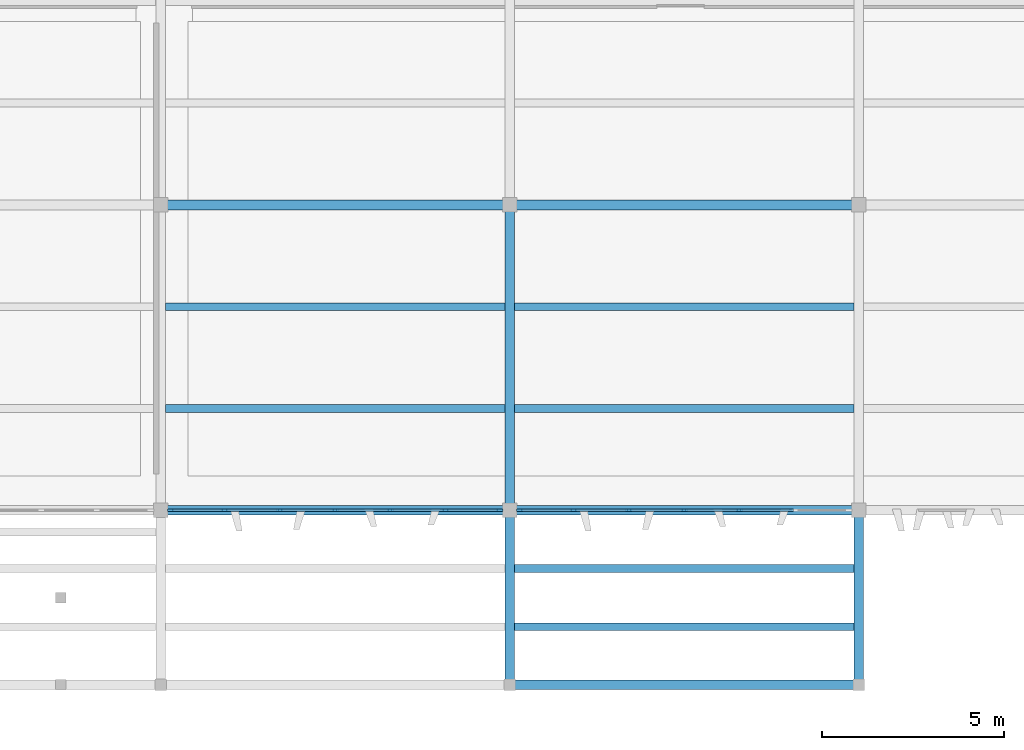
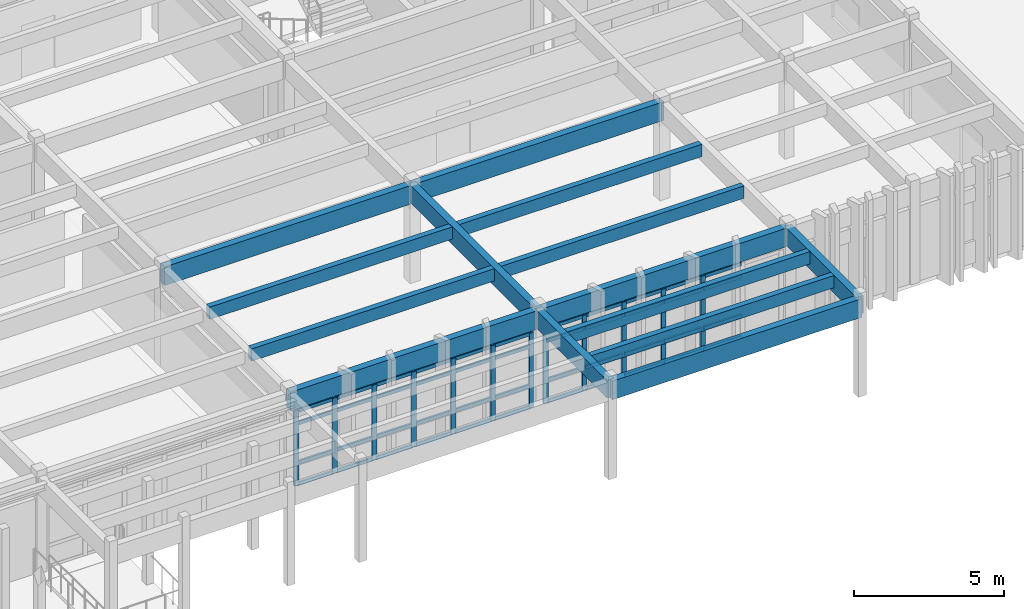
# One storey, part 8 of 42: 56 members, 14 beams, 2 elements without a shape of their own.
"""IFC4 building model written with IfcOpenShell, lengths in metres."""

from ifc_helpers import new_model, si_unit, direction, frame, origin, origin_2d, place, context, subcontext, project, spatial, rectangle, extrude, material, layer, layer_set, material_profile, profile_set, type_object, element, aggregate, save


model = new_model("IFC4")

# Units and contexts
model_context = context("Model", 3, precision=1e-05, world=origin(), true_north=direction((0.0, 1.0)))
body_context = subcontext(model_context, "Body", "Model", "MODEL_VIEW")
ifc_project = project(units=[si_unit("LENGTHUNIT", "METRE"), si_unit("AREAUNIT", "SQUARE_METRE"), si_unit("VOLUMEUNIT", "CUBIC_METRE"), si_unit("PLANEANGLEUNIT", "RADIAN"), si_unit("MASSUNIT", "GRAM", prefix="KILO")], contexts=[model_context])

# Site, building, storey
site_placement = place(None, origin())
site = spatial("IfcSite", under=ifc_project, at=site_placement, CompositionType="ELEMENT")
building_placement = place(site_placement, origin())
building = spatial("IfcBuilding", under=site, at=building_placement, Name="Kolvemor Railside Polytechnic", CompositionType="ELEMENT")
storey_placement = place(building_placement, frame((0.0, 0.0, 14.39990234375)))
storey = spatial("IfcBuildingStorey", under=building, at=storey_placement, Name="L03", CompositionType="ELEMENT", Elevation=14.39990234375)

# Beams
ifc_material_1 = material(Name="Glulam GL28h", Category="wood")
ifc_material_profile_1 = material_profile(ifc_material_1, rectangle(XDim=0.264892578125, YDim=0.760009765625, at=origin_2d()), Name="GL265x760")
ifc_profile_set_1 = profile_set([ifc_material_profile_1], Name="Glulam GL28h")
beam_type_1 = type_object("IfcBeamType", Name="BM-GL-GIRD1", PredefinedType="BEAM", material=ifc_profile_set_1)
beam_1_placement = place(storey_placement, frame((96.0, 4.800048828125, 3.570068359375), z_axis=(1.0, 0.0, 0.0), x_axis=(0.0, 1.0, 0.0)))
element("IfcBeam", 1, at=beam_1_placement, inside=storey, type_object=beam_type_1, Name="Primary Girder L04-GX 1372", PredefinedType="BEAM", context=body_context, shape_type="SweptSolid", body=[
    extrude(rectangle(XDim=0.264892578125, YDim=0.760009765625, at=origin_2d()), origin(), (0.0, 0.0, 1.0), 9.60009765625),
])
beam_2_placement = place(storey_placement, frame((105.60009765625, 4.800048828125, 3.570068359375), z_axis=(1.0, 0.0, 0.0), x_axis=(0.0, 1.0, 0.0)))
element("IfcBeam", 2, at=beam_2_placement, inside=storey, type_object=beam_type_1, Name="Primary Girder L04-GX 1373", PredefinedType="BEAM", context=body_context, shape_type="SweptSolid", body=[
    extrude(rectangle(XDim=0.264892578125, YDim=0.760009765625, at=origin_2d()), origin(), (0.0, 0.0, 1.0), 9.599853515625),
])
beam_3_placement = place(storey_placement, frame((96.0, 13.199951171875, 3.570068359375), z_axis=(1.0, 0.0, 0.0), x_axis=(0.0, 1.0, 0.0)))
element("IfcBeam", 3, at=beam_3_placement, inside=storey, type_object=beam_type_1, Name="Primary Girder L04-GX 1381", PredefinedType="BEAM", context=body_context, shape_type="SweptSolid", body=[
    extrude(rectangle(XDim=0.264892578125, YDim=0.760009765625, at=origin_2d()), origin(), (0.0, 0.0, 1.0), 9.60009765625),
])
for number, where, z_axis, x_axis, name in (
    (4, (105.60009765625, 13.199951171875, 3.570068359375), (1.0, 0.0, 0.0), (0.0, 1.0, 0.0), "Primary Girder L04-GX 1382"),
    (5, (105.60009765625, 0.0, 3.570068359375), (1.0, 0.0, 0.0), (0.0, 1.0, 0.0), "Primary Girder L04-GX 1944"),
):
    element("IfcBeam", number, at=place(storey_placement, frame(where, z_axis=z_axis, x_axis=x_axis)), inside=storey, type_object=beam_type_1, Name=name, PredefinedType="BEAM", context=body_context, shape_type="SweptSolid", body=[
        extrude(rectangle(XDim=0.264892578125, YDim=0.760009765625, at=origin_2d()), origin(), (0.0, 0.0, 1.0), 9.599853515625),
    ])
ifc_material_2 = material(Name="Glulam GL28h", Category="wood")
ifc_material_profile_2 = material_profile(ifc_material_2, rectangle(XDim=0.264892578125, YDim=0.719970703125, at=origin_2d()), Name="GL265x720")
ifc_profile_set_2 = profile_set([ifc_material_profile_2], Name="Glulam GL28h")
beam_type_2 = type_object("IfcBeamType", Name="BM-GL-GIRD4", PredefinedType="BEAM", material=ifc_profile_set_2)
beam_4_placement = place(storey_placement, frame((105.60009765625, 4.800048828125, 3.590087890625), z_axis=(0.0, 1.0, 0.0), x_axis=(-1.0, 0.0, 0.0)))
element("IfcBeam", 6, at=beam_4_placement, inside=storey, type_object=beam_type_2, Name="Primary Girder L04-GY 1436", PredefinedType="BEAM", context=body_context, shape_type="SweptSolid", body=[
    extrude(rectangle(XDim=0.264892578125, YDim=0.719970703125, at=origin_2d()), origin(), (0.0, 0.0, 1.0), 8.39990234375),
])
for number, where, z_axis, x_axis, name in (
    (7, (105.60009765625, 0.0, 3.590087890625), (0.0, 1.0, 0.0), (-1.0, 0.0, 0.0), "Primary Girder L04-GY 1947"),
    (8, (115.199951171875, 0.0, 3.590087890625), (0.0, 1.0, 0.0), (-1.0, 0.0, 0.0), "Primary Girder L04-GY 1948"),
):
    element("IfcBeam", number, at=place(storey_placement, frame(where, z_axis=z_axis, x_axis=x_axis)), inside=storey, type_object=beam_type_2, Name=name, PredefinedType="BEAM", context=body_context, shape_type="SweptSolid", body=[
        extrude(rectangle(XDim=0.264892578125, YDim=0.719970703125, at=origin_2d()), origin(), (0.0, 0.0, 1.0), 4.800048828125),
    ])
ifc_material_3 = material(Name="Glulam GL28h", Category="wood")
ifc_material_profile_3 = material_profile(ifc_material_3, rectangle(XDim=0.215087890625, YDim=0.5, at=origin_2d()), Name="GL215x500")
ifc_profile_set_3 = profile_set([ifc_material_profile_3], Name="Glulam GL28h")
beam_type_3 = type_object("IfcBeamType", Name="BM-GL-JST3", PredefinedType="JOIST", material=ifc_profile_set_3)
for number, where, z_axis, x_axis, name in (
    (9, (96.133056640625, 7.60009765625, 3.7001953125), (1.0, 0.0, 0.0), (0.0, 1.0, 0.0), "Floor Joist L04-J1488"),
    (10, (96.133056640625, 10.39990234375, 3.7001953125), (1.0, 0.0, 0.0), (0.0, 1.0, 0.0), "Floor Joist L04-J1489"),
    (11, (105.73291015625, 7.60009765625, 3.7001953125), (1.0, 0.0, 0.0), (0.0, 1.0, 0.0), "Floor Joist L04-J1496"),
    (12, (105.73291015625, 10.39990234375, 3.7001953125), (1.0, 0.0, 0.0), (0.0, 1.0, 0.0), "Floor Joist L04-J1497"),
    (13, (105.73291015625, 1.60009765625, 3.7001953125), (1.0, 0.0, 0.0), (0.0, 1.0, 0.0), "Floor Joist L04-J1953"),
    (14, (105.73291015625, 3.199951171875, 3.7001953125), (1.0, 0.0, 0.0), (0.0, 1.0, 0.0), "Floor Joist L04-J1954"),
):
    element("IfcBeam", number, at=place(storey_placement, frame(where, z_axis=z_axis, x_axis=x_axis)), inside=storey, type_object=beam_type_3, Name=name, PredefinedType="JOIST", context=body_context, shape_type="SweptSolid", body=[
        extrude(rectangle(XDim=0.215087890625, YDim=0.5, at=origin_2d()), origin(), (0.0, 0.0, 1.0), 9.333984375),
    ])

# Curtain wall, members
ifc_material_4 = material(Name="Anodised marine aluminium and laminated low-E glass", Category="aluminium")
ifc_layer = layer(ifc_material_4, 0.179931640625, Name="CW-UNIT-STD")
ifc_layer_set = layer_set([ifc_layer], Name="Anodised marine aluminium and laminated low-E glass")
curtain_wall_type = type_object("IfcCurtainWallType", Name="CW-UNIT-STD", PredefinedType="USERDEFINED", material=ifc_layer_set)
curtain_wall_1_placement = place(storey_placement, origin())
curtain_wall_1 = element("IfcCurtainWall", 15, at=curtain_wall_1_placement, inside=storey, type_object=curtain_wall_type, Name="Curtain Wall L03-102", ObjectType="UNITISED CURTAIN WALL", PredefinedType="USERDEFINED")
ifc_material_5 = material(Name="Anodised marine aluminium 6063-T6", Category="aluminium")
ifc_material_profile_4 = material_profile(ifc_material_5, rectangle(XDim=0.074951171875, YDim=0.179931640625, at=origin_2d()), Name="CW-MUL-75x180")
ifc_profile_set_4 = profile_set([ifc_material_profile_4], Name="Anodised marine aluminium 6063-T6")
member_type_1 = type_object("IfcMemberType", Name="CWM-75x180", PredefinedType="MULLION", material=ifc_profile_set_4)
member_1_placement = place(storey_placement, frame((96.277587890625, 4.800048828125, 0.0), z_axis=(0.0, 0.0, 1.0), x_axis=(0.0, 1.0, 0.0)))
member_1 = element("IfcMember", 16, at=member_1_placement, type_object=member_type_1, Name="CW-STD mullion 1", PredefinedType="MULLION", context=body_context, shape_type="SweptSolid", body=[
    extrude(rectangle(XDim=0.074951171875, YDim=0.179931640625, at=origin_2d()), origin(), (0.0, 0.0, 1.0), 3.050048828125),
])
member_2_placement = place(storey_placement, frame((97.760009765625, 4.800048828125, 0.0), z_axis=(0.0, 0.0, 1.0), x_axis=(0.0, 1.0, 0.0)))
member_2 = element("IfcMember", 17, at=member_2_placement, type_object=member_type_1, Name="CW-STD mullion 2", PredefinedType="MULLION", context=body_context, shape_type="SweptSolid", body=[
    extrude(rectangle(XDim=0.074951171875, YDim=0.179931640625, at=origin_2d()), origin(), (0.0, 0.0, 1.0), 3.050048828125),
])
member_3_placement = place(storey_placement, frame((99.280029296875, 4.800048828125, 0.0), z_axis=(0.0, 0.0, 1.0), x_axis=(0.0, 1.0, 0.0)))
member_3 = element("IfcMember", 18, at=member_3_placement, type_object=member_type_1, Name="CW-STD mullion 3", PredefinedType="MULLION", context=body_context, shape_type="SweptSolid", body=[
    extrude(rectangle(XDim=0.074951171875, YDim=0.179931640625, at=origin_2d()), origin(), (0.0, 0.0, 1.0), 3.050048828125),
])
member_4_placement = place(storey_placement, frame((100.800048828125, 4.800048828125, 0.0), z_axis=(0.0, 0.0, 1.0), x_axis=(0.0, 1.0, 0.0)))
member_4 = element("IfcMember", 19, at=member_4_placement, type_object=member_type_1, Name="CW-STD mullion 4", PredefinedType="MULLION", context=body_context, shape_type="SweptSolid", body=[
    extrude(rectangle(XDim=0.074951171875, YDim=0.179931640625, at=origin_2d()), origin(), (0.0, 0.0, 1.0), 3.050048828125),
])
member_5_placement = place(storey_placement, frame((102.320068359375, 4.800048828125, 0.0), z_axis=(0.0, 0.0, 1.0), x_axis=(0.0, 1.0, 0.0)))
member_5 = element("IfcMember", 20, at=member_5_placement, type_object=member_type_1, Name="CW-STD mullion 5", PredefinedType="MULLION", context=body_context, shape_type="SweptSolid", body=[
    extrude(rectangle(XDim=0.074951171875, YDim=0.179931640625, at=origin_2d()), origin(), (0.0, 0.0, 1.0), 3.050048828125),
])
member_6_placement = place(storey_placement, frame((103.840087890625, 4.800048828125, 0.0), z_axis=(0.0, 0.0, 1.0), x_axis=(0.0, 1.0, 0.0)))
member_6 = element("IfcMember", 21, at=member_6_placement, type_object=member_type_1, Name="CW-STD mullion 6", PredefinedType="MULLION", context=body_context, shape_type="SweptSolid", body=[
    extrude(rectangle(XDim=0.074951171875, YDim=0.179931640625, at=origin_2d()), origin(), (0.0, 0.0, 1.0), 3.050048828125),
])
member_7_placement = place(storey_placement, frame((105.322509765625, 4.800048828125, 0.0), z_axis=(0.0, 0.0, 1.0), x_axis=(0.0, 1.0, 0.0)))
member_7 = element("IfcMember", 22, at=member_7_placement, type_object=member_type_1, Name="CW-STD mullion 7", PredefinedType="MULLION", context=body_context, shape_type="SweptSolid", body=[
    extrude(rectangle(XDim=0.074951171875, YDim=0.179931640625, at=origin_2d()), origin(), (0.0, 0.0, 1.0), 3.050048828125),
])

curtain_wall_2_placement = place(storey_placement, origin())
curtain_wall_2 = element("IfcCurtainWall", 23, at=curtain_wall_2_placement, inside=storey, type_object=curtain_wall_type, Name="Curtain Wall L03-103", ObjectType="UNITISED CURTAIN WALL", PredefinedType="USERDEFINED")
member_8_placement = place(storey_placement, frame((105.87744140625, 4.800048828125, 0.0), z_axis=(0.0, 0.0, 1.0), x_axis=(0.0, 1.0, 0.0)))
member_8 = element("IfcMember", 24, at=member_8_placement, type_object=member_type_1, Name="CW-STD mullion 1", PredefinedType="MULLION", context=body_context, shape_type="SweptSolid", body=[
    extrude(rectangle(XDim=0.074951171875, YDim=0.179931640625, at=origin_2d()), origin(), (0.0, 0.0, 1.0), 3.050048828125),
])
member_9_placement = place(storey_placement, frame((107.360107421875, 4.800048828125, 0.0), z_axis=(0.0, 0.0, 1.0), x_axis=(0.0, 1.0, 0.0)))
member_9 = element("IfcMember", 25, at=member_9_placement, type_object=member_type_1, Name="CW-STD mullion 2", PredefinedType="MULLION", context=body_context, shape_type="SweptSolid", body=[
    extrude(rectangle(XDim=0.074951171875, YDim=0.179931640625, at=origin_2d()), origin(), (0.0, 0.0, 1.0), 3.050048828125),
])
member_10_placement = place(storey_placement, frame((108.8798828125, 4.800048828125, 0.0), z_axis=(0.0, 0.0, 1.0), x_axis=(0.0, 1.0, 0.0)))
member_10 = element("IfcMember", 26, at=member_10_placement, type_object=member_type_1, Name="CW-STD mullion 3", PredefinedType="MULLION", context=body_context, shape_type="SweptSolid", body=[
    extrude(rectangle(XDim=0.074951171875, YDim=0.179931640625, at=origin_2d()), origin(), (0.0, 0.0, 1.0), 3.050048828125),
])
member_11_placement = place(storey_placement, frame((110.39990234375, 4.800048828125, 0.0), z_axis=(0.0, 0.0, 1.0), x_axis=(0.0, 1.0, 0.0)))
member_11 = element("IfcMember", 27, at=member_11_placement, type_object=member_type_1, Name="CW-STD mullion 4", PredefinedType="MULLION", context=body_context, shape_type="SweptSolid", body=[
    extrude(rectangle(XDim=0.074951171875, YDim=0.179931640625, at=origin_2d()), origin(), (0.0, 0.0, 1.0), 3.050048828125),
])
member_12_placement = place(storey_placement, frame((111.919921875, 4.800048828125, 0.0), z_axis=(0.0, 0.0, 1.0), x_axis=(0.0, 1.0, 0.0)))
member_12 = element("IfcMember", 28, at=member_12_placement, type_object=member_type_1, Name="CW-STD mullion 5", PredefinedType="MULLION", context=body_context, shape_type="SweptSolid", body=[
    extrude(rectangle(XDim=0.074951171875, YDim=0.179931640625, at=origin_2d()), origin(), (0.0, 0.0, 1.0), 3.050048828125),
])

# Member
ifc_material_6 = material(Name="Anodised marine aluminium 6063-T6", Category="aluminium")
ifc_material_profile_5 = material_profile(ifc_material_6, rectangle(XDim=0.074951171875, YDim=0.139892578125, at=origin_2d()), Name="CW-TRN-75x140")
ifc_profile_set_5 = profile_set([ifc_material_profile_5], Name="Anodised marine aluminium 6063-T6")
member_type_2 = type_object("IfcMemberType", Name="CWT-75x140", PredefinedType="USERDEFINED", material=ifc_profile_set_5)
member_13_placement = place(storey_placement, frame((96.31494140625, 4.800048828125, 0.03759765625), z_axis=(1.0, 0.0, 0.0), x_axis=(0.0, 1.0, 0.0)))
member_13 = element("IfcMember", 29, at=member_13_placement, type_object=member_type_2, Name="CW-STD transom 1.1", ObjectType="TRANSOM", PredefinedType="USERDEFINED", context=body_context, shape_type="SweptSolid", body=[
    extrude(rectangle(XDim=0.074951171875, YDim=0.139892578125, at=origin_2d()), origin(), (0.0, 0.0, 1.0), 1.407470703125),
])

member_14_placement = place(storey_placement, frame((96.31494140625, 4.800048828125, 0.900146484375), z_axis=(1.0, 0.0, 0.0), x_axis=(0.0, 1.0, 0.0)))
member_14 = element("IfcMember", 30, at=member_14_placement, type_object=member_type_2, Name="CW-STD transom 1.2", ObjectType="TRANSOM", PredefinedType="USERDEFINED", context=body_context, shape_type="SweptSolid", body=[
    extrude(rectangle(XDim=0.074951171875, YDim=0.139892578125, at=origin_2d()), origin(), (0.0, 0.0, 1.0), 1.407470703125),
])

member_15_placement = place(storey_placement, frame((96.31494140625, 4.800048828125, 2.5), z_axis=(1.0, 0.0, 0.0), x_axis=(0.0, 1.0, 0.0)))
member_15 = element("IfcMember", 31, at=member_15_placement, type_object=member_type_2, Name="CW-STD transom 1.3", ObjectType="TRANSOM", PredefinedType="USERDEFINED", context=body_context, shape_type="SweptSolid", body=[
    extrude(rectangle(XDim=0.074951171875, YDim=0.139892578125, at=origin_2d()), origin(), (0.0, 0.0, 1.0), 1.407470703125),
])

member_16_placement = place(storey_placement, frame((96.31494140625, 4.800048828125, 3.0126953125), z_axis=(1.0, 0.0, 0.0), x_axis=(0.0, 1.0, 0.0)))
member_16 = element("IfcMember", 32, at=member_16_placement, type_object=member_type_2, Name="CW-STD transom 1.4", ObjectType="TRANSOM", PredefinedType="USERDEFINED", context=body_context, shape_type="SweptSolid", body=[
    extrude(rectangle(XDim=0.074951171875, YDim=0.139892578125, at=origin_2d()), origin(), (0.0, 0.0, 1.0), 1.407470703125),
])

member_17_placement = place(storey_placement, frame((97.797607421875, 4.800048828125, 0.03759765625), z_axis=(1.0, 0.0, 0.0), x_axis=(0.0, 1.0, 0.0)))
member_17 = element("IfcMember", 33, at=member_17_placement, type_object=member_type_2, Name="CW-STD transom 2.1", ObjectType="TRANSOM", PredefinedType="USERDEFINED", context=body_context, shape_type="SweptSolid", body=[
    extrude(rectangle(XDim=0.074951171875, YDim=0.139892578125, at=origin_2d()), origin(), (0.0, 0.0, 1.0), 1.44482421875),
])

member_18_placement = place(storey_placement, frame((97.797607421875, 4.800048828125, 0.900146484375), z_axis=(1.0, 0.0, 0.0), x_axis=(0.0, 1.0, 0.0)))
member_18 = element("IfcMember", 34, at=member_18_placement, type_object=member_type_2, Name="CW-STD transom 2.2", ObjectType="TRANSOM", PredefinedType="USERDEFINED", context=body_context, shape_type="SweptSolid", body=[
    extrude(rectangle(XDim=0.074951171875, YDim=0.139892578125, at=origin_2d()), origin(), (0.0, 0.0, 1.0), 1.44482421875),
])

member_19_placement = place(storey_placement, frame((97.797607421875, 4.800048828125, 2.5), z_axis=(1.0, 0.0, 0.0), x_axis=(0.0, 1.0, 0.0)))
member_19 = element("IfcMember", 35, at=member_19_placement, type_object=member_type_2, Name="CW-STD transom 2.3", ObjectType="TRANSOM", PredefinedType="USERDEFINED", context=body_context, shape_type="SweptSolid", body=[
    extrude(rectangle(XDim=0.074951171875, YDim=0.139892578125, at=origin_2d()), origin(), (0.0, 0.0, 1.0), 1.44482421875),
])

member_20_placement = place(storey_placement, frame((97.797607421875, 4.800048828125, 3.0126953125), z_axis=(1.0, 0.0, 0.0), x_axis=(0.0, 1.0, 0.0)))
member_20 = element("IfcMember", 36, at=member_20_placement, type_object=member_type_2, Name="CW-STD transom 2.4", ObjectType="TRANSOM", PredefinedType="USERDEFINED", context=body_context, shape_type="SweptSolid", body=[
    extrude(rectangle(XDim=0.074951171875, YDim=0.139892578125, at=origin_2d()), origin(), (0.0, 0.0, 1.0), 1.44482421875),
])

member_21_placement = place(storey_placement, frame((99.3173828125, 4.800048828125, 0.03759765625), z_axis=(1.0, 0.0, 0.0), x_axis=(0.0, 1.0, 0.0)))
member_21 = element("IfcMember", 37, at=member_21_placement, type_object=member_type_2, Name="CW-STD transom 3.1", ObjectType="TRANSOM", PredefinedType="USERDEFINED", context=body_context, shape_type="SweptSolid", body=[
    extrude(rectangle(XDim=0.074951171875, YDim=0.139892578125, at=origin_2d()), origin(), (0.0, 0.0, 1.0), 1.445068359375),
])

member_22_placement = place(storey_placement, frame((99.3173828125, 4.800048828125, 0.900146484375), z_axis=(1.0, 0.0, 0.0), x_axis=(0.0, 1.0, 0.0)))
member_22 = element("IfcMember", 38, at=member_22_placement, type_object=member_type_2, Name="CW-STD transom 3.2", ObjectType="TRANSOM", PredefinedType="USERDEFINED", context=body_context, shape_type="SweptSolid", body=[
    extrude(rectangle(XDim=0.074951171875, YDim=0.139892578125, at=origin_2d()), origin(), (0.0, 0.0, 1.0), 1.445068359375),
])

member_23_placement = place(storey_placement, frame((99.3173828125, 4.800048828125, 2.5), z_axis=(1.0, 0.0, 0.0), x_axis=(0.0, 1.0, 0.0)))
member_23 = element("IfcMember", 39, at=member_23_placement, type_object=member_type_2, Name="CW-STD transom 3.3", ObjectType="TRANSOM", PredefinedType="USERDEFINED", context=body_context, shape_type="SweptSolid", body=[
    extrude(rectangle(XDim=0.074951171875, YDim=0.139892578125, at=origin_2d()), origin(), (0.0, 0.0, 1.0), 1.445068359375),
])

member_24_placement = place(storey_placement, frame((99.3173828125, 4.800048828125, 3.0126953125), z_axis=(1.0, 0.0, 0.0), x_axis=(0.0, 1.0, 0.0)))
member_24 = element("IfcMember", 40, at=member_24_placement, type_object=member_type_2, Name="CW-STD transom 3.4", ObjectType="TRANSOM", PredefinedType="USERDEFINED", context=body_context, shape_type="SweptSolid", body=[
    extrude(rectangle(XDim=0.074951171875, YDim=0.139892578125, at=origin_2d()), origin(), (0.0, 0.0, 1.0), 1.445068359375),
])

member_25_placement = place(storey_placement, frame((100.83740234375, 4.800048828125, 0.03759765625), z_axis=(1.0, 0.0, 0.0), x_axis=(0.0, 1.0, 0.0)))
member_25 = element("IfcMember", 41, at=member_25_placement, type_object=member_type_2, Name="CW-STD transom 4.1", ObjectType="TRANSOM", PredefinedType="USERDEFINED", context=body_context, shape_type="SweptSolid", body=[
    extrude(rectangle(XDim=0.074951171875, YDim=0.139892578125, at=origin_2d()), origin(), (0.0, 0.0, 1.0), 1.445068359375),
])

member_26_placement = place(storey_placement, frame((100.83740234375, 4.800048828125, 0.900146484375), z_axis=(1.0, 0.0, 0.0), x_axis=(0.0, 1.0, 0.0)))
member_26 = element("IfcMember", 42, at=member_26_placement, type_object=member_type_2, Name="CW-STD transom 4.2", ObjectType="TRANSOM", PredefinedType="USERDEFINED", context=body_context, shape_type="SweptSolid", body=[
    extrude(rectangle(XDim=0.074951171875, YDim=0.139892578125, at=origin_2d()), origin(), (0.0, 0.0, 1.0), 1.445068359375),
])

member_27_placement = place(storey_placement, frame((100.83740234375, 4.800048828125, 2.5), z_axis=(1.0, 0.0, 0.0), x_axis=(0.0, 1.0, 0.0)))
member_27 = element("IfcMember", 43, at=member_27_placement, type_object=member_type_2, Name="CW-STD transom 4.3", ObjectType="TRANSOM", PredefinedType="USERDEFINED", context=body_context, shape_type="SweptSolid", body=[
    extrude(rectangle(XDim=0.074951171875, YDim=0.139892578125, at=origin_2d()), origin(), (0.0, 0.0, 1.0), 1.445068359375),
])

member_28_placement = place(storey_placement, frame((100.83740234375, 4.800048828125, 3.0126953125), z_axis=(1.0, 0.0, 0.0), x_axis=(0.0, 1.0, 0.0)))
member_28 = element("IfcMember", 44, at=member_28_placement, type_object=member_type_2, Name="CW-STD transom 4.4", ObjectType="TRANSOM", PredefinedType="USERDEFINED", context=body_context, shape_type="SweptSolid", body=[
    extrude(rectangle(XDim=0.074951171875, YDim=0.139892578125, at=origin_2d()), origin(), (0.0, 0.0, 1.0), 1.445068359375),
])

member_29_placement = place(storey_placement, frame((102.357421875, 4.800048828125, 0.03759765625), z_axis=(1.0, 0.0, 0.0), x_axis=(0.0, 1.0, 0.0)))
member_29 = element("IfcMember", 45, at=member_29_placement, type_object=member_type_2, Name="CW-STD transom 5.1", ObjectType="TRANSOM", PredefinedType="USERDEFINED", context=body_context, shape_type="SweptSolid", body=[
    extrude(rectangle(XDim=0.074951171875, YDim=0.139892578125, at=origin_2d()), origin(), (0.0, 0.0, 1.0), 1.445068359375),
])

member_30_placement = place(storey_placement, frame((102.357421875, 4.800048828125, 0.900146484375), z_axis=(1.0, 0.0, 0.0), x_axis=(0.0, 1.0, 0.0)))
member_30 = element("IfcMember", 46, at=member_30_placement, type_object=member_type_2, Name="CW-STD transom 5.2", ObjectType="TRANSOM", PredefinedType="USERDEFINED", context=body_context, shape_type="SweptSolid", body=[
    extrude(rectangle(XDim=0.074951171875, YDim=0.139892578125, at=origin_2d()), origin(), (0.0, 0.0, 1.0), 1.445068359375),
])

member_31_placement = place(storey_placement, frame((102.357421875, 4.800048828125, 2.5), z_axis=(1.0, 0.0, 0.0), x_axis=(0.0, 1.0, 0.0)))
member_31 = element("IfcMember", 47, at=member_31_placement, type_object=member_type_2, Name="CW-STD transom 5.3", ObjectType="TRANSOM", PredefinedType="USERDEFINED", context=body_context, shape_type="SweptSolid", body=[
    extrude(rectangle(XDim=0.074951171875, YDim=0.139892578125, at=origin_2d()), origin(), (0.0, 0.0, 1.0), 1.445068359375),
])

member_32_placement = place(storey_placement, frame((102.357421875, 4.800048828125, 3.0126953125), z_axis=(1.0, 0.0, 0.0), x_axis=(0.0, 1.0, 0.0)))
member_32 = element("IfcMember", 48, at=member_32_placement, type_object=member_type_2, Name="CW-STD transom 5.4", ObjectType="TRANSOM", PredefinedType="USERDEFINED", context=body_context, shape_type="SweptSolid", body=[
    extrude(rectangle(XDim=0.074951171875, YDim=0.139892578125, at=origin_2d()), origin(), (0.0, 0.0, 1.0), 1.445068359375),
])

member_33_placement = place(storey_placement, frame((103.87744140625, 4.800048828125, 0.03759765625), z_axis=(1.0, 0.0, 0.0), x_axis=(0.0, 1.0, 0.0)))
member_33 = element("IfcMember", 49, at=member_33_placement, type_object=member_type_2, Name="CW-STD transom 6.1", ObjectType="TRANSOM", PredefinedType="USERDEFINED", context=body_context, shape_type="SweptSolid", body=[
    extrude(rectangle(XDim=0.074951171875, YDim=0.139892578125, at=origin_2d()), origin(), (0.0, 0.0, 1.0), 1.407470703125),
])

member_34_placement = place(storey_placement, frame((103.87744140625, 4.800048828125, 0.900146484375), z_axis=(1.0, 0.0, 0.0), x_axis=(0.0, 1.0, 0.0)))
member_34 = element("IfcMember", 50, at=member_34_placement, type_object=member_type_2, Name="CW-STD transom 6.2", ObjectType="TRANSOM", PredefinedType="USERDEFINED", context=body_context, shape_type="SweptSolid", body=[
    extrude(rectangle(XDim=0.074951171875, YDim=0.139892578125, at=origin_2d()), origin(), (0.0, 0.0, 1.0), 1.407470703125),
])

member_35_placement = place(storey_placement, frame((103.87744140625, 4.800048828125, 2.5), z_axis=(1.0, 0.0, 0.0), x_axis=(0.0, 1.0, 0.0)))
member_35 = element("IfcMember", 51, at=member_35_placement, type_object=member_type_2, Name="CW-STD transom 6.3", ObjectType="TRANSOM", PredefinedType="USERDEFINED", context=body_context, shape_type="SweptSolid", body=[
    extrude(rectangle(XDim=0.074951171875, YDim=0.139892578125, at=origin_2d()), origin(), (0.0, 0.0, 1.0), 1.407470703125),
])

member_36_placement = place(storey_placement, frame((103.87744140625, 4.800048828125, 3.0126953125), z_axis=(1.0, 0.0, 0.0), x_axis=(0.0, 1.0, 0.0)))
member_36 = element("IfcMember", 52, at=member_36_placement, type_object=member_type_2, Name="CW-STD transom 6.4", ObjectType="TRANSOM", PredefinedType="USERDEFINED", context=body_context, shape_type="SweptSolid", body=[
    extrude(rectangle(XDim=0.074951171875, YDim=0.139892578125, at=origin_2d()), origin(), (0.0, 0.0, 1.0), 1.407470703125),
])

aggregate(curtain_wall_1, [member_1, member_2, member_3, member_4, member_5, member_6, member_7, member_13, member_14, member_15, member_16, member_17, member_18, member_19, member_20, member_21, member_22, member_23, member_24, member_25, member_26, member_27, member_28, member_29, member_30, member_31, member_32, member_33, member_34, member_35, member_36])

member_37_placement = place(storey_placement, frame((105.9150390625, 4.800048828125, 0.03759765625), z_axis=(1.0, 0.0, 0.0), x_axis=(0.0, 1.0, 0.0)))
member_37 = element("IfcMember", 53, at=member_37_placement, type_object=member_type_2, Name="CW-STD transom 1.1", ObjectType="TRANSOM", PredefinedType="USERDEFINED", context=body_context, shape_type="SweptSolid", body=[
    extrude(rectangle(XDim=0.074951171875, YDim=0.139892578125, at=origin_2d()), origin(), (0.0, 0.0, 1.0), 1.407470703125),
])

member_38_placement = place(storey_placement, frame((105.9150390625, 4.800048828125, 0.900146484375), z_axis=(1.0, 0.0, 0.0), x_axis=(0.0, 1.0, 0.0)))
member_38 = element("IfcMember", 54, at=member_38_placement, type_object=member_type_2, Name="CW-STD transom 1.2", ObjectType="TRANSOM", PredefinedType="USERDEFINED", context=body_context, shape_type="SweptSolid", body=[
    extrude(rectangle(XDim=0.074951171875, YDim=0.139892578125, at=origin_2d()), origin(), (0.0, 0.0, 1.0), 1.407470703125),
])

member_39_placement = place(storey_placement, frame((105.9150390625, 4.800048828125, 2.5), z_axis=(1.0, 0.0, 0.0), x_axis=(0.0, 1.0, 0.0)))
member_39 = element("IfcMember", 55, at=member_39_placement, type_object=member_type_2, Name="CW-STD transom 1.3", ObjectType="TRANSOM", PredefinedType="USERDEFINED", context=body_context, shape_type="SweptSolid", body=[
    extrude(rectangle(XDim=0.074951171875, YDim=0.139892578125, at=origin_2d()), origin(), (0.0, 0.0, 1.0), 1.407470703125),
])

member_40_placement = place(storey_placement, frame((105.9150390625, 4.800048828125, 3.0126953125), z_axis=(1.0, 0.0, 0.0), x_axis=(0.0, 1.0, 0.0)))
member_40 = element("IfcMember", 56, at=member_40_placement, type_object=member_type_2, Name="CW-STD transom 1.4", ObjectType="TRANSOM", PredefinedType="USERDEFINED", context=body_context, shape_type="SweptSolid", body=[
    extrude(rectangle(XDim=0.074951171875, YDim=0.139892578125, at=origin_2d()), origin(), (0.0, 0.0, 1.0), 1.407470703125),
])

member_41_placement = place(storey_placement, frame((107.3974609375, 4.800048828125, 0.03759765625), z_axis=(1.0, 0.0, 0.0), x_axis=(0.0, 1.0, 0.0)))
member_41 = element("IfcMember", 57, at=member_41_placement, type_object=member_type_2, Name="CW-STD transom 2.1", ObjectType="TRANSOM", PredefinedType="USERDEFINED", context=body_context, shape_type="SweptSolid", body=[
    extrude(rectangle(XDim=0.074951171875, YDim=0.139892578125, at=origin_2d()), origin(), (0.0, 0.0, 1.0), 1.445068359375),
])

member_42_placement = place(storey_placement, frame((107.3974609375, 4.800048828125, 0.900146484375), z_axis=(1.0, 0.0, 0.0), x_axis=(0.0, 1.0, 0.0)))
member_42 = element("IfcMember", 58, at=member_42_placement, type_object=member_type_2, Name="CW-STD transom 2.2", ObjectType="TRANSOM", PredefinedType="USERDEFINED", context=body_context, shape_type="SweptSolid", body=[
    extrude(rectangle(XDim=0.074951171875, YDim=0.139892578125, at=origin_2d()), origin(), (0.0, 0.0, 1.0), 1.445068359375),
])

member_43_placement = place(storey_placement, frame((107.3974609375, 4.800048828125, 2.5), z_axis=(1.0, 0.0, 0.0), x_axis=(0.0, 1.0, 0.0)))
member_43 = element("IfcMember", 59, at=member_43_placement, type_object=member_type_2, Name="CW-STD transom 2.3", ObjectType="TRANSOM", PredefinedType="USERDEFINED", context=body_context, shape_type="SweptSolid", body=[
    extrude(rectangle(XDim=0.074951171875, YDim=0.139892578125, at=origin_2d()), origin(), (0.0, 0.0, 1.0), 1.445068359375),
])

member_44_placement = place(storey_placement, frame((107.3974609375, 4.800048828125, 3.0126953125), z_axis=(1.0, 0.0, 0.0), x_axis=(0.0, 1.0, 0.0)))
member_44 = element("IfcMember", 60, at=member_44_placement, type_object=member_type_2, Name="CW-STD transom 2.4", ObjectType="TRANSOM", PredefinedType="USERDEFINED", context=body_context, shape_type="SweptSolid", body=[
    extrude(rectangle(XDim=0.074951171875, YDim=0.139892578125, at=origin_2d()), origin(), (0.0, 0.0, 1.0), 1.445068359375),
])

member_45_placement = place(storey_placement, frame((108.91748046875, 4.800048828125, 0.03759765625), z_axis=(1.0, 0.0, 0.0), x_axis=(0.0, 1.0, 0.0)))
member_45 = element("IfcMember", 61, at=member_45_placement, type_object=member_type_2, Name="CW-STD transom 3.1", ObjectType="TRANSOM", PredefinedType="USERDEFINED", context=body_context, shape_type="SweptSolid", body=[
    extrude(rectangle(XDim=0.074951171875, YDim=0.139892578125, at=origin_2d()), origin(), (0.0, 0.0, 1.0), 1.445068359375),
])

member_46_placement = place(storey_placement, frame((108.91748046875, 4.800048828125, 0.900146484375), z_axis=(1.0, 0.0, 0.0), x_axis=(0.0, 1.0, 0.0)))
member_46 = element("IfcMember", 62, at=member_46_placement, type_object=member_type_2, Name="CW-STD transom 3.2", ObjectType="TRANSOM", PredefinedType="USERDEFINED", context=body_context, shape_type="SweptSolid", body=[
    extrude(rectangle(XDim=0.074951171875, YDim=0.139892578125, at=origin_2d()), origin(), (0.0, 0.0, 1.0), 1.445068359375),
])

member_47_placement = place(storey_placement, frame((108.91748046875, 4.800048828125, 2.5), z_axis=(1.0, 0.0, 0.0), x_axis=(0.0, 1.0, 0.0)))
member_47 = element("IfcMember", 63, at=member_47_placement, type_object=member_type_2, Name="CW-STD transom 3.3", ObjectType="TRANSOM", PredefinedType="USERDEFINED", context=body_context, shape_type="SweptSolid", body=[
    extrude(rectangle(XDim=0.074951171875, YDim=0.139892578125, at=origin_2d()), origin(), (0.0, 0.0, 1.0), 1.445068359375),
])

member_48_placement = place(storey_placement, frame((108.91748046875, 4.800048828125, 3.0126953125), z_axis=(1.0, 0.0, 0.0), x_axis=(0.0, 1.0, 0.0)))
member_48 = element("IfcMember", 64, at=member_48_placement, type_object=member_type_2, Name="CW-STD transom 3.4", ObjectType="TRANSOM", PredefinedType="USERDEFINED", context=body_context, shape_type="SweptSolid", body=[
    extrude(rectangle(XDim=0.074951171875, YDim=0.139892578125, at=origin_2d()), origin(), (0.0, 0.0, 1.0), 1.445068359375),
])

member_49_placement = place(storey_placement, frame((110.4375, 4.800048828125, 0.03759765625), z_axis=(1.0, 0.0, 0.0), x_axis=(0.0, 1.0, 0.0)))
member_49 = element("IfcMember", 65, at=member_49_placement, type_object=member_type_2, Name="CW-STD transom 4.1", ObjectType="TRANSOM", PredefinedType="USERDEFINED", context=body_context, shape_type="SweptSolid", body=[
    extrude(rectangle(XDim=0.074951171875, YDim=0.139892578125, at=origin_2d()), origin(), (0.0, 0.0, 1.0), 1.445068359375),
])

member_50_placement = place(storey_placement, frame((110.4375, 4.800048828125, 0.900146484375), z_axis=(1.0, 0.0, 0.0), x_axis=(0.0, 1.0, 0.0)))
member_50 = element("IfcMember", 66, at=member_50_placement, type_object=member_type_2, Name="CW-STD transom 4.2", ObjectType="TRANSOM", PredefinedType="USERDEFINED", context=body_context, shape_type="SweptSolid", body=[
    extrude(rectangle(XDim=0.074951171875, YDim=0.139892578125, at=origin_2d()), origin(), (0.0, 0.0, 1.0), 1.445068359375),
])

member_51_placement = place(storey_placement, frame((110.4375, 4.800048828125, 2.5), z_axis=(1.0, 0.0, 0.0), x_axis=(0.0, 1.0, 0.0)))
member_51 = element("IfcMember", 67, at=member_51_placement, type_object=member_type_2, Name="CW-STD transom 4.3", ObjectType="TRANSOM", PredefinedType="USERDEFINED", context=body_context, shape_type="SweptSolid", body=[
    extrude(rectangle(XDim=0.074951171875, YDim=0.139892578125, at=origin_2d()), origin(), (0.0, 0.0, 1.0), 1.445068359375),
])

member_52_placement = place(storey_placement, frame((110.4375, 4.800048828125, 3.0126953125), z_axis=(1.0, 0.0, 0.0), x_axis=(0.0, 1.0, 0.0)))
member_52 = element("IfcMember", 68, at=member_52_placement, type_object=member_type_2, Name="CW-STD transom 4.4", ObjectType="TRANSOM", PredefinedType="USERDEFINED", context=body_context, shape_type="SweptSolid", body=[
    extrude(rectangle(XDim=0.074951171875, YDim=0.139892578125, at=origin_2d()), origin(), (0.0, 0.0, 1.0), 1.445068359375),
])

member_53_placement = place(storey_placement, frame((111.95751953125, 4.800048828125, 0.03759765625), z_axis=(1.0, 0.0, 0.0), x_axis=(0.0, 1.0, 0.0)))
member_53 = element("IfcMember", 69, at=member_53_placement, type_object=member_type_2, Name="CW-STD transom 5.1", ObjectType="TRANSOM", PredefinedType="USERDEFINED", context=body_context, shape_type="SweptSolid", body=[
    extrude(rectangle(XDim=0.074951171875, YDim=0.139892578125, at=origin_2d()), origin(), (0.0, 0.0, 1.0), 1.445068359375),
])

member_54_placement = place(storey_placement, frame((111.95751953125, 4.800048828125, 0.900146484375), z_axis=(1.0, 0.0, 0.0), x_axis=(0.0, 1.0, 0.0)))
member_54 = element("IfcMember", 70, at=member_54_placement, type_object=member_type_2, Name="CW-STD transom 5.2", ObjectType="TRANSOM", PredefinedType="USERDEFINED", context=body_context, shape_type="SweptSolid", body=[
    extrude(rectangle(XDim=0.074951171875, YDim=0.139892578125, at=origin_2d()), origin(), (0.0, 0.0, 1.0), 1.445068359375),
])

member_55_placement = place(storey_placement, frame((111.95751953125, 4.800048828125, 2.5), z_axis=(1.0, 0.0, 0.0), x_axis=(0.0, 1.0, 0.0)))
member_55 = element("IfcMember", 71, at=member_55_placement, type_object=member_type_2, Name="CW-STD transom 5.3", ObjectType="TRANSOM", PredefinedType="USERDEFINED", context=body_context, shape_type="SweptSolid", body=[
    extrude(rectangle(XDim=0.074951171875, YDim=0.139892578125, at=origin_2d()), origin(), (0.0, 0.0, 1.0), 1.445068359375),
])

member_56_placement = place(storey_placement, frame((111.95751953125, 4.800048828125, 3.0126953125), z_axis=(1.0, 0.0, 0.0), x_axis=(0.0, 1.0, 0.0)))
member_56 = element("IfcMember", 72, at=member_56_placement, type_object=member_type_2, Name="CW-STD transom 5.4", ObjectType="TRANSOM", PredefinedType="USERDEFINED", context=body_context, shape_type="SweptSolid", body=[
    extrude(rectangle(XDim=0.074951171875, YDim=0.139892578125, at=origin_2d()), origin(), (0.0, 0.0, 1.0), 1.445068359375),
])

aggregate(curtain_wall_2, [member_8, member_9, member_10, member_11, member_12, member_37, member_38, member_39, member_40, member_41, member_42, member_43, member_44, member_45, member_46, member_47, member_48, member_49, member_50, member_51, member_52, member_53, member_54, member_55, member_56])

save(model, "model.ifc")
